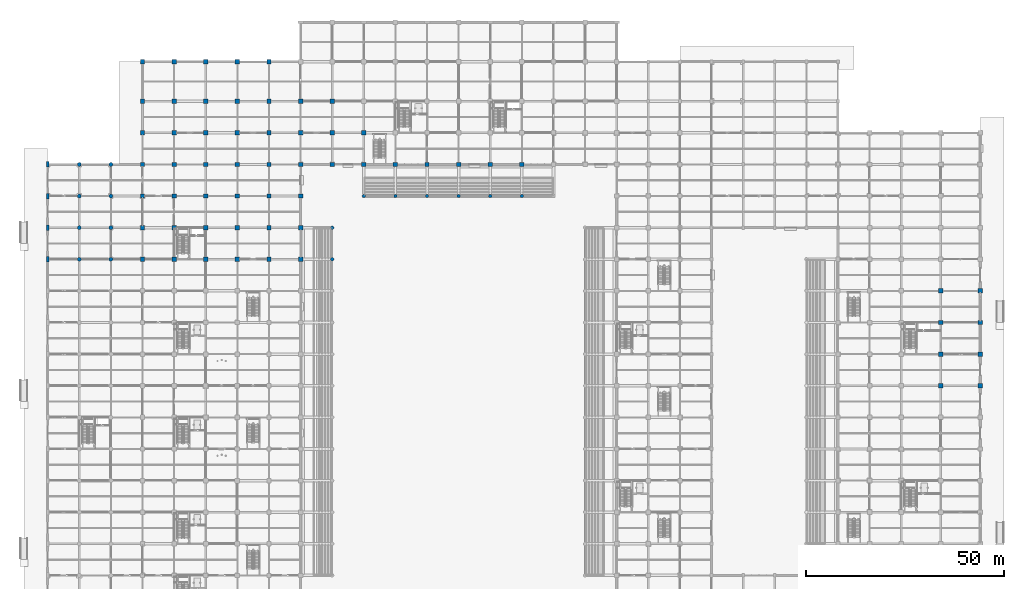
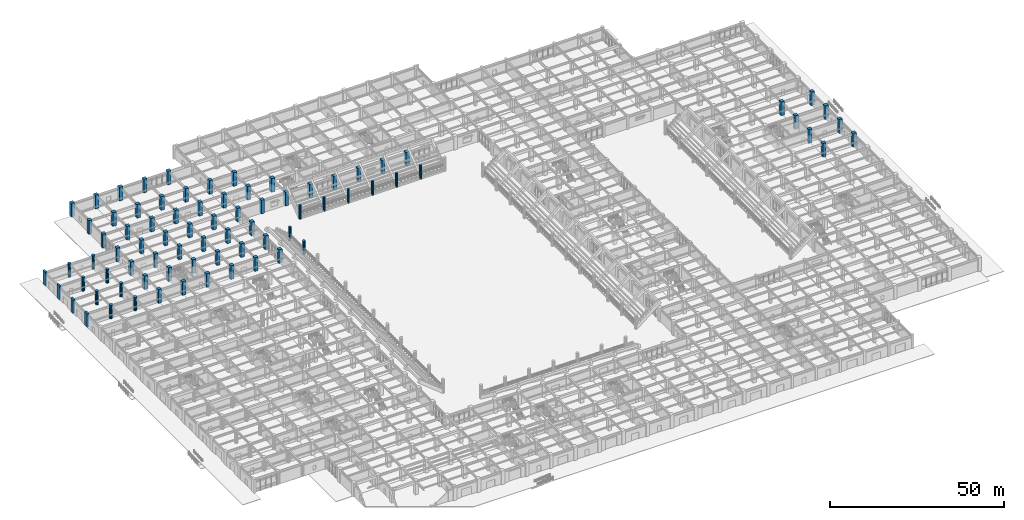
# One storey, part 17 of 125: 79 columns.
"""IFC4 building model written with IfcOpenShell, lengths in metres."""

from ifc_helpers import new_model, si_unit, direction, frame, origin, origin_2d, place, context, subcontext, project, spatial, rectangle, circle, extrude, material, material_profile, profile_set, type_object, element, save


model = new_model("IFC4")

# Units and contexts
model_context = context("Model", 3, precision=1e-05, world=origin(), true_north=direction((0.0, 1.0)))
body_context = subcontext(model_context, "Body", "Model", "MODEL_VIEW")
ifc_project = project(units=[si_unit("LENGTHUNIT", "METRE"), si_unit("AREAUNIT", "SQUARE_METRE"), si_unit("VOLUMEUNIT", "CUBIC_METRE"), si_unit("PLANEANGLEUNIT", "RADIAN"), si_unit("MASSUNIT", "GRAM", prefix="KILO")], contexts=[model_context])

# Site, building, storey
site_placement = place(None, origin())
site = spatial("IfcSite", under=ifc_project, at=site_placement, CompositionType="ELEMENT")
building_placement = place(site_placement, origin())
building = spatial("IfcBuilding", under=site, at=building_placement, Name="Haebicheon Civic Stadium", CompositionType="ELEMENT")
storey_placement = place(building_placement, origin())
storey = spatial("IfcBuildingStorey", under=building, at=storey_placement, Name="L01", CompositionType="ELEMENT", Elevation=0.0)

# Columns
ifc_material_1 = material(Name="Concrete C40/50", Category="concrete")
ifc_material_profile_1 = material_profile(ifc_material_1, rectangle(XDim=1.10009765625, YDim=1.10009765625, at=origin_2d()), Name="RC-COL-1100x1100")
ifc_profile_set_1 = profile_set([ifc_material_profile_1], Name="Concrete C40/50")
column_type_1 = type_object("IfcColumnType", Name="COL-RC-1100", PredefinedType="COLUMN", material=ifc_profile_set_1)
for number, where, z_axis, x_axis, name in (
    (1, (24.0, 128.0, 0.0), (0.0, 0.0, 1.0), (1.0, 0.0, 0.0), "L01 column 4/S"),
    (2, (24.0, 136.0, 0.0), (0.0, 0.0, 1.0), (1.0, 0.0, 0.0), "L01 column 4/T"),
    (3, (24.0, 144.0, 0.0), (0.0, 0.0, 1.0), (1.0, 0.0, 0.0), "L01 column 4/U"),
    (4, (24.0, 152.0, 0.0), (0.0, 0.0, 1.0), (1.0, 0.0, 0.0), "L01 column 4/V"),
    (5, (24.0, 160.0, 0.0), (0.0, 0.0, 1.0), (1.0, 0.0, 0.0), "L01 column 4/W"),
    (6, (24.0, 168.0, 0.0), (0.0, 0.0, 1.0), (1.0, 0.0, 0.0), "L01 column 4/X"),
    (7, (24.0, 178.0, 0.0), (0.0, 0.0, 1.0), (1.0, 0.0, 0.0), "L01 column 4/Y"),
    (8, (32.0, 128.0, 0.0), (0.0, 0.0, 1.0), (1.0, 0.0, 0.0), "L01 column 5/S"),
    (9, (32.0, 136.0, 0.0), (0.0, 0.0, 1.0), (1.0, 0.0, 0.0), "L01 column 5/T"),
    (10, (32.0, 144.0, 0.0), (0.0, 0.0, 1.0), (1.0, 0.0, 0.0), "L01 column 5/U"),
    (11, (32.0, 152.0, 0.0), (0.0, 0.0, 1.0), (1.0, 0.0, 0.0), "L01 column 5/V"),
    (12, (32.0, 160.0, 0.0), (0.0, 0.0, 1.0), (1.0, 0.0, 0.0), "L01 column 5/W"),
    (13, (32.0, 168.0, 0.0), (0.0, 0.0, 1.0), (1.0, 0.0, 0.0), "L01 column 5/X"),
    (14, (32.0, 178.0, 0.0), (0.0, 0.0, 1.0), (1.0, 0.0, 0.0), "L01 column 5/Y"),
    (15, (40.0, 128.0, 0.0), (0.0, 0.0, 1.0), (1.0, 0.0, 0.0), "L01 column 6/S"),
    (16, (40.0, 136.0, 0.0), (0.0, 0.0, 1.0), (1.0, 0.0, 0.0), "L01 column 6/T"),
    (17, (40.0, 144.0, 0.0), (0.0, 0.0, 1.0), (1.0, 0.0, 0.0), "L01 column 6/U"),
    (18, (40.0, 152.0, 0.0), (0.0, 0.0, 1.0), (1.0, 0.0, 0.0), "L01 column 6/V"),
    (19, (40.0, 160.0, 0.0), (0.0, 0.0, 1.0), (1.0, 0.0, 0.0), "L01 column 6/W"),
    (20, (40.0, 168.0, 0.0), (0.0, 0.0, 1.0), (1.0, 0.0, 0.0), "L01 column 6/X"),
    (21, (40.0, 178.0, 0.0), (0.0, 0.0, 1.0), (1.0, 0.0, 0.0), "L01 column 6/Y"),
    (22, (48.0, 128.0, 0.0), (0.0, 0.0, 1.0), (1.0, 0.0, 0.0), "L01 column 7/S"),
    (23, (48.0, 136.0, 0.0), (0.0, 0.0, 1.0), (1.0, 0.0, 0.0), "L01 column 7/T"),
    (24, (48.0, 144.0, 0.0), (0.0, 0.0, 1.0), (1.0, 0.0, 0.0), "L01 column 7/U"),
    (25, (48.0, 152.0, 0.0), (0.0, 0.0, 1.0), (1.0, 0.0, 0.0), "L01 column 7/V"),
    (26, (48.0, 160.0, 0.0), (0.0, 0.0, 1.0), (1.0, 0.0, 0.0), "L01 column 7/W"),
    (27, (48.0, 168.0, 0.0), (0.0, 0.0, 1.0), (1.0, 0.0, 0.0), "L01 column 7/X"),
    (28, (48.0, 178.0, 0.0), (0.0, 0.0, 1.0), (1.0, 0.0, 0.0), "L01 column 7/Y"),
    (29, (56.0, 128.0, 0.0), (0.0, 0.0, 1.0), (1.0, 0.0, 0.0), "L01 column 8/S"),
    (30, (56.0, 136.0, 0.0), (0.0, 0.0, 1.0), (1.0, 0.0, 0.0), "L01 column 8/T"),
    (31, (56.0, 144.0, 0.0), (0.0, 0.0, 1.0), (1.0, 0.0, 0.0), "L01 column 8/U"),
    (32, (56.0, 152.0, 0.0), (0.0, 0.0, 1.0), (1.0, 0.0, 0.0), "L01 column 8/V"),
    (33, (56.0, 160.0, 0.0), (0.0, 0.0, 1.0), (1.0, 0.0, 0.0), "L01 column 8/W"),
    (34, (56.0, 168.0, 0.0), (0.0, 0.0, 1.0), (1.0, 0.0, 0.0), "L01 column 8/X"),
    (35, (56.0, 178.0, 0.0), (0.0, 0.0, 1.0), (1.0, 0.0, 0.0), "L01 column 8/Y"),
    (36, (64.0, 128.0, 0.0), (0.0, 0.0, 1.0), (1.0, 0.0, 0.0), "L01 column 9/S"),
    (37, (64.0, 136.0, 0.0), (0.0, 0.0, 1.0), (1.0, 0.0, 0.0), "L01 column 9/T"),
    (38, (64.0, 144.0, 0.0), (0.0, 0.0, 1.0), (1.0, 0.0, 0.0), "L01 column 9/U"),
    (39, (64.0, 152.0, 0.0), (0.0, 0.0, 1.0), (1.0, 0.0, 0.0), "L01 column 9/V"),
    (40, (64.0, 160.0, 0.0), (0.0, 0.0, 1.0), (1.0, 0.0, 0.0), "L01 column 9/W"),
    (41, (64.0, 168.0, 0.0), (0.0, 0.0, 1.0), (1.0, 0.0, 0.0), "L01 column 9/X"),
    (42, (72.0, 152.0, 0.0), (0.0, 0.0, 1.0), (1.0, 0.0, 0.0), "L01 column 10/V"),
    (43, (72.0, 160.0, 0.0), (0.0, 0.0, 1.0), (1.0, 0.0, 0.0), "L01 column 10/W"),
    (44, (72.0, 168.0, 0.0), (0.0, 0.0, 1.0), (1.0, 0.0, 0.0), "L01 column 10/X"),
    (45, (80.0, 152.0, 0.0), (0.0, 0.0, 1.0), (1.0, 0.0, 0.0), "L01 column 11/V"),
    (46, (80.0, 160.0, 0.0), (0.0, 0.0, 1.0), (1.0, 0.0, 0.0), "L01 column 11/W"),
    (47, (88.0, 152.0, 0.0), (0.0, 0.0, 1.0), (1.0, 0.0, 0.0), "L01 column 12/V"),
    (48, (96.0, 152.0, 0.0), (0.0, 0.0, 1.0), (1.0, 0.0, 0.0), "L01 column 13/V"),
    (49, (104.0, 152.0, 0.0), (0.0, 0.0, 1.0), (1.0, 0.0, 0.0), "L01 column 14/V"),
    (50, (112.0, 152.0, 0.0), (0.0, 0.0, 1.0), (1.0, 0.0, 0.0), "L01 column 15/V"),
    (51, (120.0, 152.0, 0.0), (0.0, 0.0, 1.0), (1.0, 0.0, 0.0), "L01 column 16/V"),
    (52, (226.0, 96.0, 0.0), (0.0, 0.0, 1.0), (1.0, 0.0, 0.0), "L01 column 29/N"),
    (53, (226.0, 104.0, 0.0), (0.0, 0.0, 1.0), (1.0, 0.0, 0.0), "L01 column 29/P"),
    (54, (226.0, 112.0, 0.0), (0.0, 0.0, 1.0), (1.0, 0.0, 0.0), "L01 column 29/Q"),
    (55, (226.0, 120.0, 0.0), (0.0, 0.0, 1.0), (1.0, 0.0, 0.0), "L01 column 29/R"),
    (56, (236.0, 96.0, 0.0), (0.0, 0.0, 1.0), (1.0, 0.0, 0.0), "L01 column 30/N"),
    (57, (236.0, 104.0, 0.0), (0.0, 0.0, 1.0), (1.0, 0.0, 0.0), "L01 column 30/P"),
    (58, (236.0, 112.0, 0.0), (0.0, 0.0, 1.0), (1.0, 0.0, 0.0), "L01 column 30/Q"),
    (59, (236.0, 120.0, 0.0), (0.0, 0.0, 1.0), (1.0, 0.0, 0.0), "L01 column 30/R"),
):
    element("IfcColumn", number, at=place(storey_placement, frame(where, z_axis=z_axis, x_axis=x_axis)), inside=storey, type_object=column_type_1, material=ifc_profile_set_1, Name=name, PredefinedType="COLUMN", context=body_context, shape_type="SweptSolid", body=[
        extrude(rectangle(XDim=1.10009765625, YDim=1.10009765625, at=origin_2d()), origin(), (0.0, 0.0, 1.0), 4.800048828125),
    ])
ifc_material_2 = material(Name="Concrete C40/50", Category="concrete")
ifc_material_profile_2 = material_profile(ifc_material_2, circle(Radius=0.5, at=origin_2d()), Name="RC-COL-D1000")
ifc_profile_set_2 = profile_set([ifc_material_profile_2], Name="Concrete C40/50")
column_type_2 = type_object("IfcColumnType", Name="COL-RC-D1000", PredefinedType="COLUMN", material=ifc_profile_set_2)
for number, where, z_axis, x_axis, name in (
    (60, (8.0, 128.0, 0.0), (0.0, 0.0, 1.0), (1.0, 0.0, 0.0), "L01 column 2/S"),
    (61, (8.0, 136.0, 0.0), (0.0, 0.0, 1.0), (1.0, 0.0, 0.0), "L01 column 2/T"),
    (62, (8.0, 144.0, 0.0), (0.0, 0.0, 1.0), (1.0, 0.0, 0.0), "L01 column 2/U"),
    (63, (8.0, 152.0, 0.0), (0.0, 0.0, 1.0), (1.0, 0.0, 0.0), "L01 column 2/V"),
    (64, (16.0, 128.0, 0.0), (0.0, 0.0, 1.0), (1.0, 0.0, 0.0), "L01 column 3/S"),
    (65, (16.0, 136.0, 0.0), (0.0, 0.0, 1.0), (1.0, 0.0, 0.0), "L01 column 3/T"),
    (66, (16.0, 144.0, 0.0), (0.0, 0.0, 1.0), (1.0, 0.0, 0.0), "L01 column 3/U"),
    (67, (16.0, 152.0, 0.0), (0.0, 0.0, 1.0), (1.0, 0.0, 0.0), "L01 column 3/V"),
):
    element("IfcColumn", number, at=place(storey_placement, frame(where, z_axis=z_axis, x_axis=x_axis)), inside=storey, type_object=column_type_2, material=ifc_profile_set_2, Name=name, PredefinedType="COLUMN", context=body_context, shape_type="SweptSolid", body=[
        extrude(circle(Radius=0.5, at=origin_2d()), origin(), (0.0, 0.0, 1.0), 4.800048828125),
    ])
ifc_material_3 = material(Name="Concrete C40/50", Category="concrete")
ifc_material_profile_3 = material_profile(ifc_material_3, circle(Radius=0.425048828125, at=origin_2d()), Name="RC-COL-D850")
ifc_profile_set_3 = profile_set([ifc_material_profile_3], Name="Concrete C40/50")
column_type_3 = type_object("IfcColumnType", Name="COL-RC-D850", PredefinedType="COLUMN", material=ifc_profile_set_3)
for number, where, z_axis, x_axis, name in (
    (68, (72.0, 128.0, 0.0), (0.0, 0.0, 1.0), (1.0, 0.0, 0.0), "Bowl/canopy support column 72/128 (L01)"),
    (69, (72.0, 136.0, 0.0), (0.0, 0.0, 1.0), (1.0, 0.0, 0.0), "Bowl/canopy support column 72/136 (L01)"),
    (70, (80.0, 144.0, 0.0), (0.0, 0.0, 1.0), (1.0, 0.0, 0.0), "Bowl/canopy support column 80/144 (L01)"),
    (71, (88.0, 144.0, 0.0), (0.0, 0.0, 1.0), (1.0, 0.0, 0.0), "Bowl/canopy support column 88/144 (L01)"),
    (72, (96.0, 144.0, 0.0), (0.0, 0.0, 1.0), (1.0, 0.0, 0.0), "Bowl/canopy support column 96/144 (L01)"),
    (73, (104.0, 144.0, 0.0), (0.0, 0.0, 1.0), (1.0, 0.0, 0.0), "Bowl/canopy support column 104/144 (L01)"),
    (74, (112.0, 144.0, 0.0), (0.0, 0.0, 1.0), (1.0, 0.0, 0.0), "Bowl/canopy support column 112/144 (L01)"),
    (75, (120.0, 144.0, 0.0), (0.0, 0.0, 1.0), (1.0, 0.0, 0.0), "Bowl/canopy support column 120/144 (L01)"),
):
    element("IfcColumn", number, at=place(storey_placement, frame(where, z_axis=z_axis, x_axis=x_axis)), inside=storey, type_object=column_type_3, material=ifc_profile_set_3, Name=name, PredefinedType="COLUMN", context=body_context, shape_type="SweptSolid", body=[
        extrude(circle(Radius=0.425048828125, at=origin_2d()), origin(), (0.0, 0.0, 1.0), 4.800048828125),
    ])
ifc_material_4 = material(Name="Concrete C40/50", Category="concrete")
ifc_material_profile_4 = material_profile(ifc_material_4, rectangle(XDim=0.60009765625, YDim=1.39990234375, at=origin_2d()), Name="RC-PIL-600x1400")
ifc_profile_set_4 = profile_set([ifc_material_profile_4], Name="Concrete C40/50")
column_type_4 = type_object("IfcColumnType", Name="PIL-RC-600x1400", PredefinedType="PILASTER", material=ifc_profile_set_4)
for number, where, z_axis, x_axis, name in (
    (76, (0.0, 128.0, 0.0), (0.0, 0.0, 1.0), (1.0, 0.0, 0.0), "L01 column 1/S"),
    (77, (0.0, 136.0, 0.0), (0.0, 0.0, 1.0), (1.0, 0.0, 0.0), "L01 column 1/T"),
    (78, (0.0, 144.0, 0.0), (0.0, 0.0, 1.0), (1.0, 0.0, 0.0), "L01 column 1/U"),
    (79, (0.0, 152.0, 0.0), (0.0, 0.0, 1.0), (1.0, 0.0, 0.0), "L01 column 1/V"),
):
    element("IfcColumn", number, at=place(storey_placement, frame(where, z_axis=z_axis, x_axis=x_axis)), inside=storey, type_object=column_type_4, material=ifc_profile_set_4, Name=name, PredefinedType="PILASTER", context=body_context, shape_type="SweptSolid", body=[
        extrude(rectangle(XDim=0.60009765625, YDim=1.39990234375, at=origin_2d()), origin(), (0.0, 0.0, 1.0), 4.800048828125),
    ])

save(model, "model.ifc")
